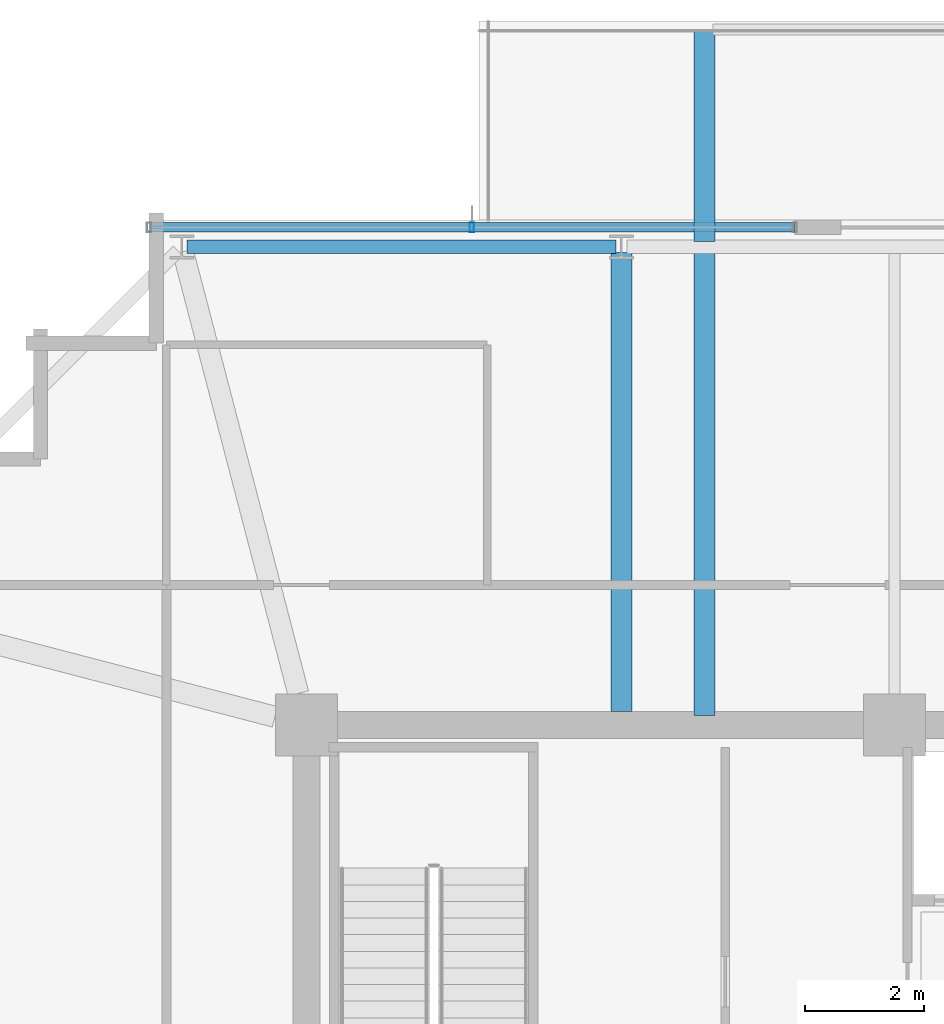
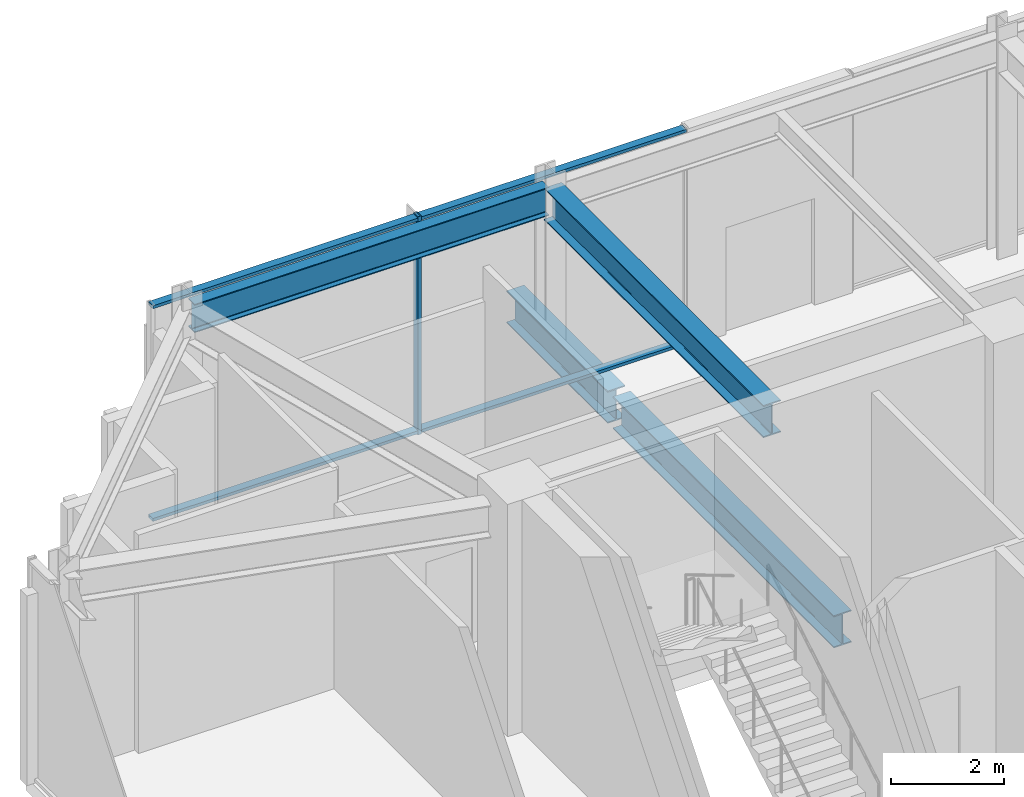
# One storey, part 16 of 31: 4 beams, 3 members, 1 element without a shape of its own.
"""IFC4 building model written with IfcOpenShell, lengths in metres."""

from ifc_helpers import new_model, si_unit, direction, frame, origin, origin_2d, place, context, subcontext, project, spatial, hollow_rectangle, i_section, extrude, material, material_profile, profile_set, type_object, element, aggregate, save


model = new_model("IFC4")

# Units and contexts
model_context = context("Model", 3, precision=1e-05, world=origin(), true_north=direction((0.0, 1.0)))
body_context = subcontext(model_context, "Body", "Model", "MODEL_VIEW")
ifc_project = project(units=[si_unit("LENGTHUNIT", "METRE"), si_unit("AREAUNIT", "SQUARE_METRE"), si_unit("VOLUMEUNIT", "CUBIC_METRE"), si_unit("PLANEANGLEUNIT", "RADIAN"), si_unit("MASSUNIT", "GRAM", prefix="KILO")], contexts=[model_context])

# Site, building, storey
site_placement = place(None, origin())
site = spatial("IfcSite", under=ifc_project, at=site_placement, CompositionType="ELEMENT")
building_placement = place(site_placement, origin())
building = spatial("IfcBuilding", under=site, at=building_placement, Name="Kolvaren Belvedere", CompositionType="ELEMENT")
storey_placement = place(building_placement, frame((0.0, 0.0, 267.39990234375)))
storey = spatial("IfcBuildingStorey", under=building, at=storey_placement, Name="L77", CompositionType="ELEMENT", Elevation=267.39990234375)

# Beams
ifc_material_1 = material(Name="Structural steel ASTM A992 Grade 50", Category="steel")
ifc_material_profile_1 = material_profile(ifc_material_1, i_section(OverallWidth=0.35498046875, OverallDepth=0.696044921875, WebThickness=0.015380859375, FlangeThickness=0.02490234375, FilletRadius=0.02197265625, at=origin_2d()), Name="W27X146")
ifc_profile_set_1 = profile_set([ifc_material_profile_1], Name="Structural steel ASTM A992 Grade 50")
beam_type_1 = type_object("IfcBeamType", Name="BM-CANT-BAL", PredefinedType="BEAM", material=ifc_profile_set_1)
beam_1_placement = place(storey_placement, frame((-3.199951171875, 18.044921875, -0.6279296875), z_axis=(0.0, 1.0, 0.0), x_axis=(-1.0, 0.0, 0.0)))
element("IfcBeam", 1, at=beam_1_placement, inside=storey, type_object=beam_type_1, Name="L77 Planted Balcony Cantilever LOOKOUT-N-1", PredefinedType="BEAM", context=body_context, shape_type="SweptSolid", body=[
    extrude(i_section(OverallWidth=0.35498046875, OverallDepth=0.696044921875, WebThickness=0.015380859375, FlangeThickness=0.02490234375, FilletRadius=0.02197265625, at=origin_2d()), origin(), (0.0, 0.0, 1.0), 3.565185546875),
])
ifc_material_2 = material(Name="Structural steel ASTM A992 Grade 50", Category="steel")
ifc_material_profile_2 = material_profile(ifc_material_2, i_section(OverallWidth=0.35498046875, OverallDepth=0.696044921875, WebThickness=0.015380859375, FlangeThickness=0.02490234375, FilletRadius=0.02197265625, at=origin_2d()), Name="W27X146")
ifc_profile_set_2 = profile_set([ifc_material_profile_2], Name="Structural steel ASTM A992 Grade 50")
beam_type_2 = type_object("IfcBeamType", Name="BM-GIRD-W27X146", PredefinedType="BEAM", material=ifc_profile_set_2)
beam_2_placement = place(storey_placement, frame((-3.199951171875, 10.06494140625, -0.6279296875), z_axis=(0.0, 1.0, 0.0), x_axis=(-1.0, 0.0, 0.0)))
element("IfcBeam", 2, at=beam_2_placement, inside=storey, type_object=beam_type_2, Name="L77 Balcony Interior Back-Span Girder LOOKOUT-N-1", PredefinedType="BEAM", context=body_context, shape_type="SweptSolid", body=[
    extrude(i_section(OverallWidth=0.35498046875, OverallDepth=0.696044921875, WebThickness=0.015380859375, FlangeThickness=0.02490234375, FilletRadius=0.02197265625, at=origin_2d()), origin(), (0.0, 0.0, 1.0), 7.7900390625),
])
beam_3_placement = place(storey_placement, frame((-4.60009765625, 10.125, 4.35205078125), z_axis=(0.0, 1.0, 0.0), x_axis=(-1.0, 0.0, 0.0)))
element("IfcBeam", 3, at=beam_3_placement, inside=storey, type_object=beam_type_2, Name="L77 North Radial Girder M", PredefinedType="BEAM", context=body_context, shape_type="SweptSolid", body=[
    extrude(i_section(OverallWidth=0.35498046875, OverallDepth=0.696044921875, WebThickness=0.015380859375, FlangeThickness=0.02490234375, FilletRadius=0.02197265625, at=origin_2d()), origin(), (0.0, 0.0, 1.0), 7.7333984375),
])
ifc_material_3 = material(Name="Structural steel ASTM A992 Grade 50", Category="steel")
ifc_material_profile_3 = material_profile(ifc_material_3, i_section(OverallWidth=0.22900390625, OverallDepth=0.612060546875, WebThickness=0.011962890625, FlangeThickness=0.01953125, FilletRadius=0.01806640625, at=origin_2d()), Name="W24X84")
ifc_profile_set_3 = profile_set([ifc_material_profile_3], Name="Structural steel ASTM A992 Grade 50")
beam_type_3 = type_object("IfcBeamType", Name="BM-SPAN-W24X84", PredefinedType="SPANDREL", material=ifc_profile_set_3)
beam_4_placement = place(storey_placement, frame((-4.691650390625, 17.949951171875, 4.39404296875), z_axis=(-1.0, 0.0, 0.0), x_axis=(0.0, -1.0, 0.0)))
element("IfcBeam", 4, at=beam_4_placement, inside=storey, type_object=beam_type_3, Name="L77 Perimeter Spandrel N2-N1", PredefinedType="SPANDREL", context=body_context, shape_type="SweptSolid", body=[
    extrude(i_section(OverallWidth=0.22900390625, OverallDepth=0.612060546875, WebThickness=0.011962890625, FlangeThickness=0.01953125, FilletRadius=0.01806640625, at=origin_2d()), origin(), (0.0, 0.0, 1.0), 7.216796875),
])

# Curtain wall, members
ifc_material_4 = material(Name="Anodised pale-metal aluminium AA 6063-T6", Category="aluminium")
curtain_wall_type = type_object("IfcCurtainWallType", Name="CW-CRN-OBS", PredefinedType="NOTDEFINED", material=ifc_material_4)
curtain_wall_placement = place(storey_placement, origin())
curtain_wall = element("IfcCurtainWall", 5, at=curtain_wall_placement, inside=storey, type_object=curtain_wall_type, Name="L77 Unitised Curtain Wall FCW-L77-N1", PredefinedType="NOTDEFINED")
ifc_material_5 = material(Name="Anodised pale-metal aluminium AA 6063-T6", Category="aluminium")
ifc_material_profile_4 = material_profile(ifc_material_5, hollow_rectangle(XDim=0.074951171875, YDim=0.159912109375, WallThickness=0.00439453125, at=origin_2d()), Name="ALU-MUL-160X75")
ifc_profile_set_4 = profile_set([ifc_material_profile_4], Name="Anodised pale-metal aluminium AA 6063-T6")
member_type_1 = type_object("IfcMemberType", Name="CW-MUL-160", PredefinedType="MULLION", material=ifc_profile_set_4)
member_1_placement = place(storey_placement, frame((-7.114990234375, 18.280029296875, 0.0), z_axis=(0.0, 0.0, 1.0), x_axis=(1.0, 0.0, 0.0)))
member_1 = element("IfcMember", 6, at=member_1_placement, type_object=member_type_1, Name="FCW-L77-N1 Unitised Mullion 2", PredefinedType="MULLION", context=body_context, shape_type="SweptSolid", body=[
    extrude(hollow_rectangle(XDim=0.074951171875, YDim=0.159912109375, WallThickness=0.00439453125, at=origin_2d()), origin(), (0.0, 0.0, 1.0), 4.7001953125),
])
ifc_material_6 = material(Name="Anodised pale-metal aluminium AA 6063-T6", Category="aluminium")
ifc_material_profile_5 = material_profile(ifc_material_6, hollow_rectangle(XDim=0.06494140625, YDim=0.159912109375, WallThickness=0.00390625, at=origin_2d()), Name="ALU-TRN-160X65")
ifc_profile_set_5 = profile_set([ifc_material_profile_5], Name="Anodised pale-metal aluminium AA 6063-T6")
member_type_2 = type_object("IfcMemberType", Name="CW-TRN-160", PredefinedType="USERDEFINED", material=ifc_profile_set_5)
member_2_placement = place(storey_placement, frame((-12.550048828125, 18.280029296875, 0.06005859375), z_axis=(1.0, 0.0, 0.0), x_axis=(0.0, 0.0, 1.0)))
member_2 = element("IfcMember", 7, at=member_2_placement, type_object=member_type_2, Name="FCW-L77-N1 Sill Transom", ObjectType="TRANSOM", PredefinedType="USERDEFINED", context=body_context, shape_type="SweptSolid", body=[
    extrude(hollow_rectangle(XDim=0.06494140625, YDim=0.159912109375, WallThickness=0.00390625, at=origin_2d()), origin(), (0.0, 0.0, 1.0), 10.8701171875),
])
member_3_placement = place(storey_placement, frame((-12.550048828125, 18.280029296875, 4.64013671875), z_axis=(1.0, 0.0, 0.0), x_axis=(0.0, 0.0, 1.0)))
member_3 = element("IfcMember", 8, at=member_3_placement, type_object=member_type_2, Name="FCW-L77-N1 Head Transom", ObjectType="TRANSOM", PredefinedType="USERDEFINED", context=body_context, shape_type="SweptSolid", body=[
    extrude(hollow_rectangle(XDim=0.06494140625, YDim=0.159912109375, WallThickness=0.00390625, at=origin_2d()), origin(), (0.0, 0.0, 1.0), 10.8701171875),
])
aggregate(curtain_wall, [member_1, member_2, member_3])

save(model, "model.ifc")
